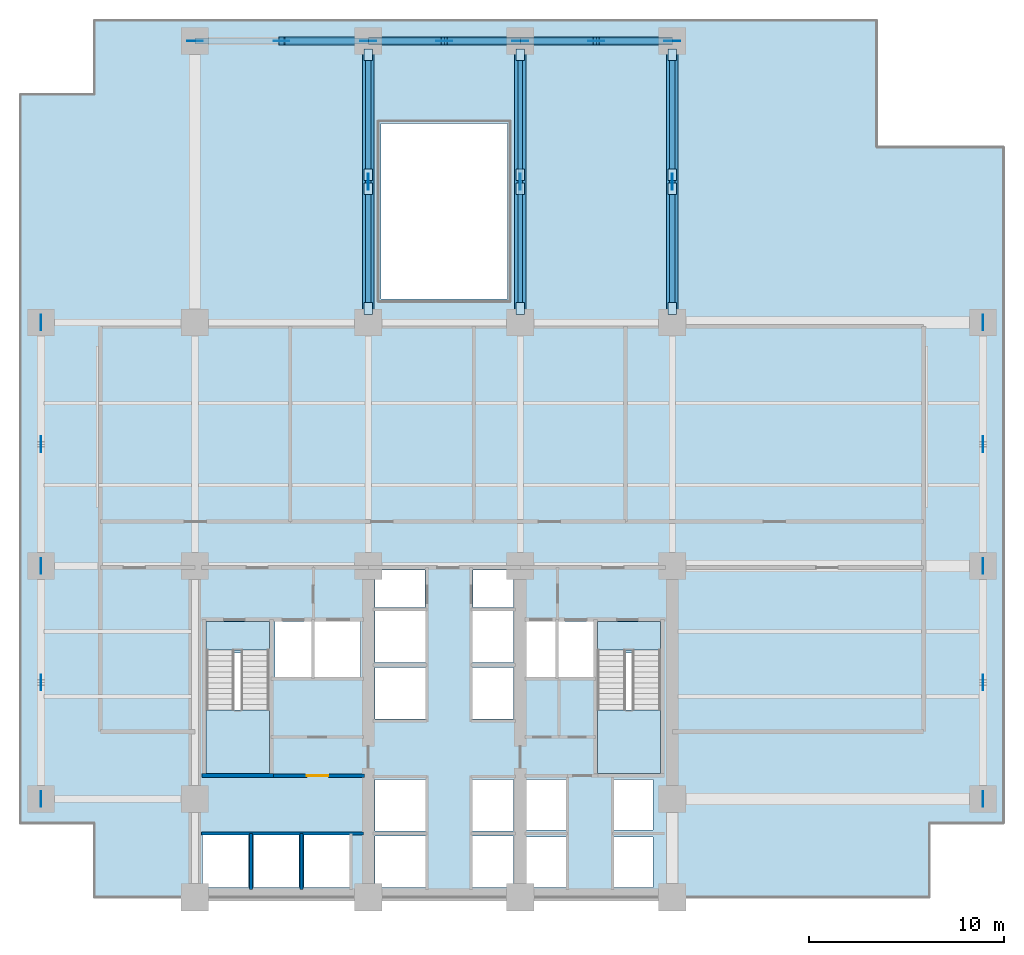
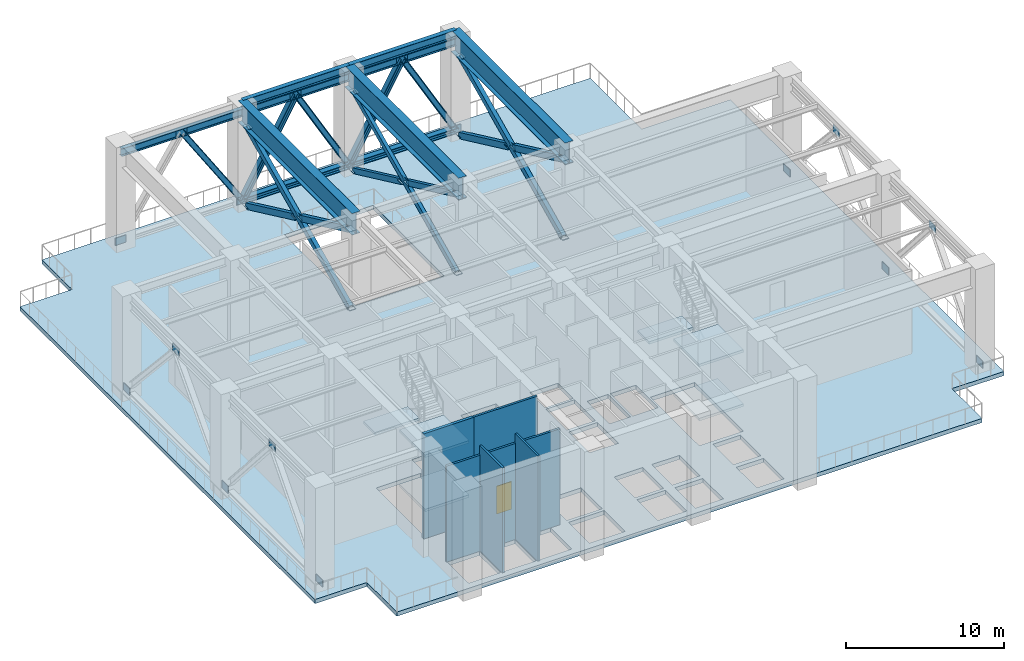
# One storey, part 2 of 7: 38 plates, 19 members, 7 slabs, 5 beams, 5 walls, 1 door, 1 opening, 2 elements without a shape of their own.
"""IFC4 building model written with IfcOpenShell, lengths in metres."""

from ifc_helpers import new_model, si_unit, direction, frame, frame_2d, origin, origin_2d, place, context, subcontext, project, spatial, polyline, rectangle, hollow_rectangle, i_section, outline, extrude, material, layer, layer_set, material_profile, profile_set, type_object, element, fill, aggregate, save


model = new_model("IFC4")

# Units and contexts
model_context = context("Model", 3, precision=1e-05, world=origin(), true_north=direction((0.0, 1.0)))
body_context = subcontext(model_context, "Body", "Model", "MODEL_VIEW")
ifc_project = project(units=[si_unit("LENGTHUNIT", "METRE"), si_unit("AREAUNIT", "SQUARE_METRE"), si_unit("VOLUMEUNIT", "CUBIC_METRE"), si_unit("PLANEANGLEUNIT", "RADIAN"), si_unit("MASSUNIT", "GRAM", prefix="KILO")], contexts=[model_context])

# Site, building, storey
site_placement = place(None, origin())
site = spatial("IfcSite", under=ifc_project, at=site_placement, CompositionType="ELEMENT")
building_placement = place(site_placement, origin())
building = spatial("IfcBuilding", under=site, at=building_placement, Name="Qalmaran Belvedere Hotel", CompositionType="ELEMENT")
storey_placement = place(building_placement, frame((0.0, 0.0, 75.39990234375)))
storey = spatial("IfcBuildingStorey", under=building, at=storey_placement, Name="L19", CompositionType="ELEMENT", Elevation=75.39990234375)

# Beams
ifc_material_1 = material(Name="Steel S355JR", Category="steel")
ifc_material_profile_1 = material_profile(ifc_material_1, i_section(OverallWidth=0.326904296875, OverallDepth=0.6220703125, WebThickness=0.015380859375, FlangeThickness=0.0244140625, FilletRadius=0.02001953125, at=origin_2d()), Name="W610X195")
ifc_profile_set_1 = profile_set([ifc_material_profile_1], Name="Steel S355JR")
beam_type_1 = type_object("IfcBeamType", Name="BM-SP1-W610X195", PredefinedType="SPANDREL", material=ifc_profile_set_1)
for number, where, z_axis, x_axis, name in (
    (1, (29.199951171875, 47.449951171875, 7.8291015625), (1.0, 0.0, 0.0), (0.0, 1.0, 0.0), "L19 Perimeter Spandrel 06"),
    (2, (37.0, 47.449951171875, 7.8291015625), (1.0, 0.0, 0.0), (0.0, 1.0, 0.0), "L19 Perimeter Spandrel 07"),
):
    element("IfcBeam", number, at=place(storey_placement, frame(where, z_axis=z_axis, x_axis=x_axis)), inside=storey, type_object=beam_type_1, Name=name, PredefinedType="SPANDREL", context=body_context, shape_type="SweptSolid", body=[
        extrude(i_section(OverallWidth=0.326904296875, OverallDepth=0.6220703125, WebThickness=0.015380859375, FlangeThickness=0.0244140625, FilletRadius=0.02001953125, at=origin_2d()), origin(), (0.0, 0.0, 1.0), 7.800048828125),
    ])
ifc_material_profile_2 = material_profile(ifc_material_1, i_section(OverallWidth=0.60009765625, OverallDepth=1.679931640625, WebThickness=0.02587890625, FlangeThickness=0.035888671875, at=origin_2d()), Name="PG1680X600X36")
ifc_profile_set_2 = profile_set([ifc_material_profile_2], Name="Steel S355JR")
beam_type_2 = type_object("IfcBeamType", Name="BM-TG5-PG1680X600", PredefinedType="USERDEFINED", material=ifc_profile_set_2)
for number, where, z_axis, x_axis, name in (
    (3, (29.199951171875, 33.0, 7.300048828125), (0.0, 1.0, 0.0), (-1.0, 0.0, 0.0), "L19 North Bay Setback Transfer Girder 17"),
    (4, (37.0, 33.0, 7.300048828125), (0.0, 1.0, 0.0), (-1.0, 0.0, 0.0), "L19 North Bay Setback Transfer Girder 19"),
    (5, (44.800048828125, 33.0, 7.300048828125), (0.0, 1.0, 0.0), (-1.0, 0.0, 0.0), "L19 North Bay Setback Transfer Girder 21"),
):
    element("IfcBeam", number, at=place(storey_placement, frame(where, z_axis=z_axis, x_axis=x_axis)), inside=storey, type_object=beam_type_2, Name=name, ObjectType="GIRDER", PredefinedType="USERDEFINED", context=body_context, shape_type="SweptSolid", body=[
        extrude(i_section(OverallWidth=0.60009765625, OverallDepth=1.679931640625, WebThickness=0.02587890625, FlangeThickness=0.035888671875, at=origin_2d()), origin(), (0.0, 0.0, 1.0), 14.449951171875),
    ])

# Members
ifc_material_profile_3 = material_profile(ifc_material_1, i_section(OverallWidth=0.39892578125, OverallDepth=0.39306640625, WebThickness=0.022705078125, FlangeThickness=0.03662109375, FilletRadius=0.014892578125, at=origin_2d()), Name="HD400X287")
ifc_profile_set_3 = profile_set([ifc_material_profile_3], Name="Steel S355JR")
member_type_1 = type_object("IfcMemberType", Name="MEM-BR1-HD400X287", PredefinedType="BRACE", material=ifc_profile_set_3)
member_1_placement = place(storey_placement, frame((29.199951171875, 47.449951171875, 0.35009765625), z_axis=(-0.545323772308, 0.0, 0.838225496722), x_axis=(0.0, -1.0, 0.0)))
element("IfcMember", 6, at=member_1_placement, inside=storey, type_object=member_type_1, Name="L19 Belt Truss Diagonal 05B", PredefinedType="BRACE", context=body_context, shape_type="SweptSolid", body=[
    extrude(i_section(OverallWidth=0.39892578125, OverallDepth=0.39306640625, WebThickness=0.022705078125, FlangeThickness=0.03662109375, FilletRadius=0.014892578125, at=origin_2d()), origin(), (0.0, 0.0, 1.0), 8.16015625),
])
for number, where, z_axis, x_axis, name in (
    (7, (29.199951171875, 47.449951171875, 0.35009765625), (0.49532730795, 0.0, 0.868706427971), (0.0, 1.0, 0.0), "L19 Belt Truss Diagonal 06A"),
    (8, (37.0, 47.449951171875, 0.35009765625), (-0.495303908402, 0.0, 0.868719769731), (0.0, -1.0, 0.0), "L19 Belt Truss Diagonal 06B"),
    (9, (37.0, 47.449951171875, 0.35009765625), (0.495303908402, 0.0, 0.868719769731), (0.0, 1.0, 0.0), "L19 Belt Truss Diagonal 07A"),
    (10, (44.800048828125, 47.449951171875, 0.35009765625), (-0.49532730795, 0.0, 0.868706427971), (0.0, -1.0, 0.0), "L19 Belt Truss Diagonal 07B"),
):
    element("IfcMember", number, at=place(storey_placement, frame(where, z_axis=z_axis, x_axis=x_axis)), inside=storey, type_object=member_type_1, Name=name, PredefinedType="BRACE", context=body_context, shape_type="SweptSolid", body=[
        extrude(i_section(OverallWidth=0.39892578125, OverallDepth=0.39306640625, WebThickness=0.022705078125, FlangeThickness=0.03662109375, FilletRadius=0.014892578125, at=origin_2d()), origin(), (0.0, 0.0, 1.0), 7.873779296875),
    ])
ifc_material_profile_4 = material_profile(ifc_material_1, hollow_rectangle(XDim=0.300048828125, YDim=0.449951171875, WallThickness=0.02001953125, at=origin_2d()), Name="RHS450X300X20")
ifc_profile_set_4 = profile_set([ifc_material_profile_4], Name="Steel S355JR")
member_type_2 = type_object("IfcMemberType", Name="MEM-BR4-RHS450", PredefinedType="BRACE", material=ifc_profile_set_4)
member_2_placement = place(storey_placement, frame((29.199951171875, 33.715087890625, 0.35009765625), z_axis=(0.0, 0.905807440431, 0.42368960438), x_axis=(-1.0, 0.0, 0.0)))
element("IfcMember", 11, at=member_2_placement, inside=storey, type_object=member_type_2, Name="L19 Wind-Slot Portal Outrigger Brace W1", PredefinedType="BRACE", context=body_context, shape_type="SweptSolid", body=[
    extrude(hollow_rectangle(XDim=0.300048828125, YDim=0.449951171875, WallThickness=0.02001953125, at=origin_2d()), origin(), (0.0, 0.0, 1.0), 14.3740234375),
])
for number, where, z_axis, x_axis, name in (
    (12, (29.199951171875, 46.735107421875, 0.35009765625), (0.0, -0.905802872951, 0.423699369075), (1.0, 0.0, 0.0), "L19 Wind-Slot Portal Outrigger Split Brace W2A"),
    (13, (29.199951171875, 39.87158203125, 3.560302734375), (0.0, -0.905796424433, 0.423713154722), (1.0, 0.0, 0.0), "L19 Wind-Slot Portal Outrigger Split Brace W2B"),
):
    element("IfcMember", number, at=place(storey_placement, frame(where, z_axis=z_axis, x_axis=x_axis)), inside=storey, type_object=member_type_2, Name=name, PredefinedType="BRACE", context=body_context, shape_type="SweptSolid", body=[
        extrude(hollow_rectangle(XDim=0.300048828125, YDim=0.449951171875, WallThickness=0.02001953125, at=origin_2d()), origin(), (0.0, 0.0, 1.0), 6.796875),
    ])
member_3_placement = place(storey_placement, frame((44.800048828125, 33.715087890625, 0.35009765625), z_axis=(0.0, 0.905807440431, 0.42368960438), x_axis=(-1.0, 0.0, 0.0)))
element("IfcMember", 14, at=member_3_placement, inside=storey, type_object=member_type_2, Name="L19 Wind-Slot Portal Outrigger Brace E1", PredefinedType="BRACE", context=body_context, shape_type="SweptSolid", body=[
    extrude(hollow_rectangle(XDim=0.300048828125, YDim=0.449951171875, WallThickness=0.02001953125, at=origin_2d()), origin(), (0.0, 0.0, 1.0), 14.3740234375),
])
for number, where, z_axis, x_axis, name in (
    (15, (44.800048828125, 46.735107421875, 0.35009765625), (0.0, -0.905802872951, 0.423699369075), (1.0, 0.0, 0.0), "L19 Wind-Slot Portal Outrigger Split Brace E2A"),
    (16, (44.800048828125, 39.87158203125, 3.560302734375), (0.0, -0.905796424433, 0.423713154722), (1.0, 0.0, 0.0), "L19 Wind-Slot Portal Outrigger Split Brace E2B"),
):
    element("IfcMember", number, at=place(storey_placement, frame(where, z_axis=z_axis, x_axis=x_axis)), inside=storey, type_object=member_type_2, Name=name, PredefinedType="BRACE", context=body_context, shape_type="SweptSolid", body=[
        extrude(hollow_rectangle(XDim=0.300048828125, YDim=0.449951171875, WallThickness=0.02001953125, at=origin_2d()), origin(), (0.0, 0.0, 1.0), 6.796875),
    ])
ifc_material_profile_5 = material_profile(ifc_material_1, hollow_rectangle(XDim=0.25, YDim=0.39990234375, WallThickness=0.01611328125, at=origin_2d()), Name="RHS400X250X16")
ifc_profile_set_5 = profile_set([ifc_material_profile_5], Name="Steel S355JR")
member_type_3 = type_object("IfcMemberType", Name="MEM-BR5-RHS400", PredefinedType="BRACE", material=ifc_profile_set_5)
member_4_placement = place(storey_placement, frame((37.0, 33.715087890625, 0.35009765625), z_axis=(0.0, 0.905807440431, 0.42368960438), x_axis=(-1.0, 0.0, 0.0)))
element("IfcMember", 17, at=member_4_placement, inside=storey, type_object=member_type_3, Name="L19 Wind-Slot Portal Outrigger Brace M1", PredefinedType="BRACE", context=body_context, shape_type="SweptSolid", body=[
    extrude(hollow_rectangle(XDim=0.25, YDim=0.39990234375, WallThickness=0.01611328125, at=origin_2d()), origin(), (0.0, 0.0, 1.0), 14.3740234375),
])
for number, where, z_axis, x_axis, name in (
    (18, (37.0, 46.735107421875, 0.35009765625), (0.0, -0.905802872951, 0.423699369075), (1.0, 0.0, 0.0), "L19 Wind-Slot Portal Outrigger Split Brace M2A"),
    (19, (37.0, 39.87158203125, 3.560302734375), (0.0, -0.905796424433, 0.423713154722), (1.0, 0.0, 0.0), "L19 Wind-Slot Portal Outrigger Split Brace M2B"),
):
    element("IfcMember", number, at=place(storey_placement, frame(where, z_axis=z_axis, x_axis=x_axis)), inside=storey, type_object=member_type_3, Name=name, PredefinedType="BRACE", context=body_context, shape_type="SweptSolid", body=[
        extrude(hollow_rectangle(XDim=0.25, YDim=0.39990234375, WallThickness=0.01611328125, at=origin_2d()), origin(), (0.0, 0.0, 1.0), 6.796875),
    ])
ifc_material_profile_6 = material_profile(ifc_material_1, i_section(OverallWidth=0.40087890625, OverallDepth=0.39892578125, WebThickness=0.02490234375, FlangeThickness=0.03955078125, FilletRadius=0.014892578125, at=origin_2d()), Name="HD400X314")
ifc_profile_set_6 = profile_set([ifc_material_profile_6], Name="Steel S355JR")
member_type_4 = type_object("IfcMemberType", Name="MEM-CH1-HD400X314", PredefinedType="CHORD", material=ifc_profile_set_6)
for number, where, z_axis, x_axis, name in (
    (20, (29.199951171875, 47.449951171875, 0.35009765625), (1.0, 0.0, 0.0), (0.0, 1.0, 0.0), "L19 Belt Truss Bottom Chord 06"),
    (21, (37.0, 47.449951171875, 0.35009765625), (1.0, 0.0, 0.0), (0.0, 1.0, 0.0), "L19 Belt Truss Bottom Chord 07"),
):
    element("IfcMember", number, at=place(storey_placement, frame(where, z_axis=z_axis, x_axis=x_axis)), inside=storey, type_object=member_type_4, Name=name, PredefinedType="CHORD", context=body_context, shape_type="SweptSolid", body=[
        extrude(i_section(OverallWidth=0.40087890625, OverallDepth=0.39892578125, WebThickness=0.02490234375, FlangeThickness=0.03955078125, FilletRadius=0.014892578125, at=origin_2d()), origin(), (0.0, 0.0, 1.0), 7.800048828125),
    ])
ifc_material_profile_7 = material_profile(ifc_material_1, i_section(OverallWidth=0.300048828125, OverallDepth=0.60009765625, WebThickness=0.015380859375, FlangeThickness=0.028076171875, FilletRadius=0.027099609375, at=origin_2d()), Name="HEB600")
ifc_profile_set_7 = profile_set([ifc_material_profile_7], Name="Steel S355JR")
member_type_5 = type_object("IfcMemberType", Name="MEM-CH2-HEB600", PredefinedType="CHORD", material=ifc_profile_set_7)
member_5_placement = place(storey_placement, frame((20.300048828125, 47.449951171875, 7.190185546875), z_axis=(1.0, 0.0, 0.0), x_axis=(0.0, 1.0, 0.0)))
element("IfcMember", 22, at=member_5_placement, inside=storey, type_object=member_type_5, Name="L19 Belt Truss Top Chord 05", PredefinedType="CHORD", context=body_context, shape_type="SweptSolid", body=[
    extrude(i_section(OverallWidth=0.300048828125, OverallDepth=0.60009765625, WebThickness=0.015380859375, FlangeThickness=0.028076171875, FilletRadius=0.027099609375, at=origin_2d()), origin(), (0.0, 0.0, 1.0), 8.89990234375),
])
for number, where, z_axis, x_axis, name in (
    (23, (29.199951171875, 47.449951171875, 7.190185546875), (1.0, 0.0, 0.0), (0.0, 1.0, 0.0), "L19 Belt Truss Top Chord 06"),
    (24, (37.0, 47.449951171875, 7.190185546875), (1.0, 0.0, 0.0), (0.0, 1.0, 0.0), "L19 Belt Truss Top Chord 07"),
):
    element("IfcMember", number, at=place(storey_placement, frame(where, z_axis=z_axis, x_axis=x_axis)), inside=storey, type_object=member_type_5, Name=name, PredefinedType="CHORD", context=body_context, shape_type="SweptSolid", body=[
        extrude(i_section(OverallWidth=0.300048828125, OverallDepth=0.60009765625, WebThickness=0.015380859375, FlangeThickness=0.028076171875, FilletRadius=0.027099609375, at=origin_2d()), origin(), (0.0, 0.0, 1.0), 7.800048828125),
    ])

# Plates
ifc_layer_1 = layer(ifc_material_1, 0.030029296875, Name="Steel S355JR")
ifc_layer_set_1 = layer_set([ifc_layer_1], Name="Steel S355JR")
plate_type_1 = type_object("IfcPlateType", Name="PLT-CAP1-600X450X30", PredefinedType="SHEET", material=ifc_layer_set_1)
for number, where, z_axis, x_axis, name in (
    (25, (29.199951171875, 33.715087890625, 0.3349609375), (0.0, 0.0, 1.0), (0.0, 1.0, 0.0), "L19 Hollow End Cap Plate 0013A"),
    (26, (29.199951171875, 46.735107421875, 6.42529296875), (0.0, 0.0, 1.0), (0.0, 1.0, 0.0), "L19 Hollow End Cap Plate 0014B"),
    (27, (29.199951171875, 46.735107421875, 0.3349609375), (0.0, 0.0, 1.0), (0.0, -1.0, 0.0), "L19 Hollow End Cap Plate 0015A"),
    (28, (29.199951171875, 40.578369140625, 3.21484375), (0.0, 0.0, 1.0), (0.0, -1.0, 0.0), "L19 Hollow End Cap Plate 0016B"),
    (29, (29.199951171875, 39.87158203125, 3.54541015625), (0.0, 0.0, 1.0), (0.0, -1.0, 0.0), "L19 Hollow End Cap Plate 0017A"),
    (30, (29.199951171875, 33.715087890625, 6.42529296875), (0.0, 0.0, 1.0), (0.0, -1.0, 0.0), "L19 Hollow End Cap Plate 0018B"),
    (31, (37.0, 33.715087890625, 0.3349609375), (0.0, 0.0, 1.0), (0.0, 1.0, 0.0), "L19 Hollow End Cap Plate 0019A"),
    (32, (37.0, 46.735107421875, 6.42529296875), (0.0, 0.0, 1.0), (0.0, 1.0, 0.0), "L19 Hollow End Cap Plate 0020B"),
    (33, (37.0, 46.735107421875, 0.3349609375), (0.0, 0.0, 1.0), (0.0, -1.0, 0.0), "L19 Hollow End Cap Plate 0021A"),
    (34, (37.0, 40.578369140625, 3.21484375), (0.0, 0.0, 1.0), (0.0, -1.0, 0.0), "L19 Hollow End Cap Plate 0022B"),
    (35, (37.0, 39.87158203125, 3.54541015625), (0.0, 0.0, 1.0), (0.0, -1.0, 0.0), "L19 Hollow End Cap Plate 0023A"),
    (36, (37.0, 33.715087890625, 6.42529296875), (0.0, 0.0, 1.0), (0.0, -1.0, 0.0), "L19 Hollow End Cap Plate 0024B"),
    (37, (44.800048828125, 33.715087890625, 0.3349609375), (0.0, 0.0, 1.0), (0.0, 1.0, 0.0), "L19 Hollow End Cap Plate 0025A"),
    (38, (44.800048828125, 46.735107421875, 6.42529296875), (0.0, 0.0, 1.0), (0.0, 1.0, 0.0), "L19 Hollow End Cap Plate 0026B"),
    (39, (44.800048828125, 46.735107421875, 0.3349609375), (0.0, 0.0, 1.0), (0.0, -1.0, 0.0), "L19 Hollow End Cap Plate 0027A"),
    (40, (44.800048828125, 40.578369140625, 3.21484375), (0.0, 0.0, 1.0), (0.0, -1.0, 0.0), "L19 Hollow End Cap Plate 0028B"),
    (41, (44.800048828125, 39.87158203125, 3.54541015625), (0.0, 0.0, 1.0), (0.0, -1.0, 0.0), "L19 Hollow End Cap Plate 0029A"),
    (42, (44.800048828125, 33.715087890625, 6.42529296875), (0.0, 0.0, 1.0), (0.0, -1.0, 0.0), "L19 Hollow End Cap Plate 0030B"),
):
    element("IfcPlate", number, at=place(storey_placement, frame(where, z_axis=z_axis, x_axis=x_axis)), inside=storey, type_object=plate_type_1, Name=name, PredefinedType="SHEET", context=body_context, shape_type="SweptSolid", body=[
        extrude(rectangle(XDim=0.60009765625, YDim=0.449951171875, at=origin_2d()), origin(), (0.0, 0.0, 1.0), 0.030029296875),
    ])
ifc_layer_2 = layer(ifc_material_1, 0.034912109375, Name="Steel S355JR")
ifc_layer_set_2 = layer_set([ifc_layer_2], Name="Steel S355JR")
plate_type_2 = type_object("IfcPlateType", Name="PLT-GUS1-800X550X35", PredefinedType="SHEET", material=ifc_layer_set_2)
for number, where, z_axis, x_axis, name in (
    (43, (12.39990234375, 14.52490234375, 6.9150390625), (0.0, 0.0, 1.0), (0.0, 1.0, 0.0), "L19 Belt Truss Apex Gusset Plate 01"),
    (44, (12.39990234375, 8.550048828125, 0.0751953125), (0.0, 0.0, 1.0), (0.0, 1.0, 0.0), "L19 Belt Truss Base Gusset Plate 01"),
    (45, (12.39990234375, 20.5, 0.0751953125), (0.0, 0.0, 1.0), (0.0, 1.0, 0.0), "L19 Belt Truss Base Gusset Plate 02"),
    (46, (12.39990234375, 26.75, 6.9150390625), (0.0, 0.0, 1.0), (0.0, 1.0, 0.0), "L19 Belt Truss Apex Gusset Plate 02"),
    (47, (12.39990234375, 33.0, 0.0751953125), (0.0, 0.0, 1.0), (0.0, 1.0, 0.0), "L19 Belt Truss Base Gusset Plate 03"),
    (48, (60.75, 14.52490234375, 6.9150390625), (0.0, 0.0, 1.0), (0.0, 1.0, 0.0), "L19 Belt Truss Apex Gusset Plate 03"),
    (49, (60.75, 8.550048828125, 0.0751953125), (0.0, 0.0, 1.0), (0.0, 1.0, 0.0), "L19 Belt Truss Base Gusset Plate 04"),
    (50, (60.75, 20.5, 0.0751953125), (0.0, 0.0, 1.0), (0.0, 1.0, 0.0), "L19 Belt Truss Base Gusset Plate 05"),
    (51, (60.75, 26.75, 6.9150390625), (0.0, 0.0, 1.0), (0.0, 1.0, 0.0), "L19 Belt Truss Apex Gusset Plate 04"),
    (52, (60.75, 33.0, 0.0751953125), (0.0, 0.0, 1.0), (0.0, 1.0, 0.0), "L19 Belt Truss Base Gusset Plate 06"),
    (53, (24.75, 47.449951171875, 6.9150390625), (0.0, 0.0, 1.0), (1.0, 0.0, 0.0), "L19 Belt Truss Apex Gusset Plate 05"),
    (54, (20.300048828125, 47.449951171875, 0.0751953125), (0.0, 0.0, 1.0), (1.0, 0.0, 0.0), "L19 Belt Truss Base Gusset Plate 07"),
    (55, (29.199951171875, 47.449951171875, 0.0751953125), (0.0, 0.0, 1.0), (1.0, 0.0, 0.0), "L19 Belt Truss Base Gusset Plate 08"),
    (56, (33.10009765625, 47.449951171875, 6.9150390625), (0.0, 0.0, 1.0), (1.0, 0.0, 0.0), "L19 Belt Truss Apex Gusset Plate 06"),
    (57, (37.0, 47.449951171875, 0.0751953125), (0.0, 0.0, 1.0), (1.0, 0.0, 0.0), "L19 Belt Truss Base Gusset Plate 09"),
    (58, (40.89990234375, 47.449951171875, 6.9150390625), (0.0, 0.0, 1.0), (1.0, 0.0, 0.0), "L19 Belt Truss Apex Gusset Plate 07"),
    (59, (44.800048828125, 47.449951171875, 0.0751953125), (0.0, 0.0, 1.0), (1.0, 0.0, 0.0), "L19 Belt Truss Base Gusset Plate 10"),
    (60, (29.199951171875, 40.22509765625, 3.1201171875), (0.0, 0.0, 1.0), (0.0, 1.0, 0.0), "L19 Outrigger X-Crossing Gusset Plate W"),
    (61, (37.0, 40.22509765625, 3.1201171875), (0.0, 0.0, 1.0), (0.0, 1.0, 0.0), "L19 Outrigger X-Crossing Gusset Plate M"),
    (62, (44.800048828125, 40.22509765625, 3.1201171875), (0.0, 0.0, 1.0), (0.0, 1.0, 0.0), "L19 Outrigger X-Crossing Gusset Plate E"),
):
    element("IfcPlate", number, at=place(storey_placement, frame(where, z_axis=z_axis, x_axis=x_axis)), inside=storey, type_object=plate_type_2, Name=name, PredefinedType="SHEET", context=body_context, shape_type="SweptSolid", body=[
        extrude(rectangle(XDim=0.800048828125, YDim=0.034912109375, at=origin_2d()), origin(), (0.0, 0.0, 1.0), 0.550048828125),
    ])

# Slab
ifc_material_2 = material(Name="Concrete C40/50", Category="concrete")
ifc_layer_3 = layer(ifc_material_2, 0.320068359375, Name="Concrete C40/50")
ifc_layer_set_3 = layer_set([ifc_layer_3], Name="Concrete C40/50")
slab_type_1 = type_object("IfcSlabType", Name="SLB-PRT-320", PredefinedType="FLOOR", material=ifc_layer_set_3)
slab_1_placement = place(storey_placement, frame((0.0, 0.0, -0.31982421875)))
element("IfcSlab", 63, at=slab_1_placement, inside=storey, type_object=slab_type_1, Name="L19 Structural Floor Slab", PredefinedType="FLOOR", context=body_context, shape_type="SweptSolid", body=[
    extrude(outline(polyline([(15.14990234375, 3.5), (58.0, 3.5), (58.0, 7.300048828125), (61.800048828125, 7.300048828125), (61.800048828125, 42.0), (55.300048828125, 42.0), (55.300048828125, 48.5), (15.14990234375, 48.5), (15.14990234375, 44.699951171875), (11.35009765625, 44.699951171875), (11.35009765625, 7.300048828125), (15.14990234375, 7.300048828125), (15.14990234375, 3.5)]), holes=[polyline([(20.8798828125, 9.85009765625), (24.1201171875, 9.85009765625), (24.1201171875, 16.0400390625), (20.8798828125, 16.0400390625), (20.8798828125, 9.85009765625)]), polyline([(40.9599609375, 9.85009765625), (44.199951171875, 9.85009765625), (44.199951171875, 16.0400390625), (40.9599609375, 16.0400390625), (40.9599609375, 9.85009765625)]), polyline([(29.544921875, 4.0), (32.14990234375, 4.0), (32.14990234375, 6.64990234375), (29.544921875, 6.64990234375), (29.544921875, 4.0)]), polyline([(29.544921875, 6.89990234375), (32.14990234375, 6.89990234375), (32.14990234375, 9.550048828125), (29.544921875, 9.550048828125), (29.544921875, 6.89990234375)]), polyline([(34.550048828125, 4.0), (36.655029296875, 4.0), (36.655029296875, 6.64990234375), (34.550048828125, 6.64990234375), (34.550048828125, 4.0)]), polyline([(34.550048828125, 6.89990234375), (36.655029296875, 6.89990234375), (36.655029296875, 9.550048828125), (34.550048828125, 9.550048828125), (34.550048828125, 6.89990234375)]), polyline([(29.544921875, 12.64990234375), (32.14990234375, 12.64990234375), (32.14990234375, 15.300048828125), (29.544921875, 15.300048828125), (29.544921875, 12.64990234375)]), polyline([(29.544921875, 15.550048828125), (32.14990234375, 15.550048828125), (32.14990234375, 18.199951171875), (29.544921875, 18.199951171875), (29.544921875, 15.550048828125)]), polyline([(34.550048828125, 12.64990234375), (36.655029296875, 12.64990234375), (36.655029296875, 15.300048828125), (34.550048828125, 15.300048828125), (34.550048828125, 12.64990234375)]), polyline([(34.550048828125, 15.550048828125), (36.655029296875, 15.550048828125), (36.655029296875, 18.199951171875), (34.550048828125, 18.199951171875), (34.550048828125, 15.550048828125)]), polyline([(37.300048828125, 4.0), (39.35009765625, 4.0), (39.35009765625, 6.60009765625), (37.300048828125, 6.60009765625), (37.300048828125, 4.0)]), polyline([(37.300048828125, 6.949951171875), (39.35009765625, 6.949951171875), (39.35009765625, 9.550048828125), (37.300048828125, 9.550048828125), (37.300048828125, 6.949951171875)]), polyline([(41.800048828125, 4.0), (43.800048828125, 4.0), (43.800048828125, 6.60009765625), (41.800048828125, 6.60009765625), (41.800048828125, 4.0)]), polyline([(41.800048828125, 6.949951171875), (43.800048828125, 6.949951171875), (43.800048828125, 9.550048828125), (41.800048828125, 9.550048828125), (41.800048828125, 6.949951171875)]), polyline([(20.699951171875, 4.0), (23.050048828125, 4.0), (23.050048828125, 6.699951171875), (20.699951171875, 6.699951171875), (20.699951171875, 4.0)]), polyline([(23.300048828125, 4.0), (25.64990234375, 4.0), (25.64990234375, 6.699951171875), (23.300048828125, 6.699951171875), (23.300048828125, 4.0)]), polyline([(25.89990234375, 4.0), (28.25, 4.0), (28.25, 6.699951171875), (25.89990234375, 6.699951171875), (25.89990234375, 4.0)]), polyline([(24.39990234375, 14.800048828125), (26.300048828125, 14.800048828125), (26.300048828125, 17.64990234375), (24.39990234375, 17.64990234375), (24.39990234375, 14.800048828125)]), polyline([(38.949951171875, 14.800048828125), (40.820068359375, 14.800048828125), (40.820068359375, 17.64990234375), (38.949951171875, 17.64990234375), (38.949951171875, 14.800048828125)]), polyline([(26.449951171875, 14.800048828125), (28.800048828125, 14.800048828125), (28.800048828125, 17.64990234375), (26.449951171875, 17.64990234375), (26.449951171875, 14.800048828125)]), polyline([(37.25, 14.800048828125), (38.800048828125, 14.800048828125), (38.800048828125, 17.64990234375), (37.25, 17.64990234375), (37.25, 14.800048828125)]), polyline([(29.544921875, 18.3798828125), (32.1201171875, 18.3798828125), (32.1201171875, 20.300048828125), (29.544921875, 20.300048828125), (29.544921875, 18.3798828125)]), polyline([(34.580078125, 18.3798828125), (36.655029296875, 18.3798828125), (36.655029296875, 20.300048828125), (34.580078125, 20.300048828125), (34.580078125, 18.3798828125)]), polyline([(29.85009765625, 34.199951171875), (36.35009765625, 34.199951171875), (36.35009765625, 43.199951171875), (29.85009765625, 43.199951171875), (29.85009765625, 34.199951171875)])]), origin(), (0.0, 0.0, 1.0), 0.31982421875),
])

# Stair, slabs
stair_type_1 = type_object("IfcStairType", Name="STR-ST-1-1450-R1750", PredefinedType="HALF_TURN_STAIR", material=ifc_material_2)
stair_1_placement = place(storey_placement, origin())
stair_1 = element("IfcStair", 64, at=stair_1_placement, inside=storey, type_object=stair_type_1, Name="L19 West Core Exit Stair ST-1", PredefinedType="HALF_TURN_STAIR")
ifc_layer_4 = layer(ifc_material_2, 0.199951171875, Name="Concrete C40/50")
ifc_layer_set_4 = layer_set([ifc_layer_4], Name="Concrete C40/50")
slab_type_2 = type_object("IfcSlabType", Name="SLB-STAIR-LANDING-200", PredefinedType="LANDING", material=ifc_layer_set_4)
slab_2_placement = place(storey_placement, frame((0.0, 0.0, 1.900146484375)))
slab_2 = element("IfcSlab", 65, at=slab_2_placement, type_object=slab_type_2, Name="ST-1 landing 1", PredefinedType="LANDING", context=body_context, shape_type="SweptSolid", body=[
    extrude(outline(polyline([(20.8798828125, 13.110107421875), (20.8798828125, 9.85009765625), (24.1201171875, 9.85009765625), (24.1201171875, 13.110107421875), (20.8798828125, 13.110107421875)])), origin(), (0.0, 0.0, 1.0), 0.199951171875),
])
slab_3_placement = place(storey_placement, frame((0.0, 0.0, 4.0)))
slab_3 = element("IfcSlab", 66, at=slab_3_placement, type_object=slab_type_2, Name="ST-1 landing 2", PredefinedType="LANDING", context=body_context, shape_type="SweptSolid", body=[
    extrude(outline(polyline([(20.8798828125, 17.64990234375), (20.8798828125, 16.18994140625), (24.1201171875, 16.18994140625), (24.1201171875, 17.64990234375), (20.8798828125, 17.64990234375)])), origin(), (0.0, 0.0, 1.0), 0.2001953125),
])
slab_4_placement = place(storey_placement, frame((0.0, 0.0, 6.10009765625)))
slab_4 = element("IfcSlab", 67, at=slab_4_placement, type_object=slab_type_2, Name="ST-1 landing 3", PredefinedType="LANDING", context=body_context, shape_type="SweptSolid", body=[
    extrude(outline(polyline([(20.8798828125, 13.110107421875), (20.8798828125, 9.85009765625), (24.1201171875, 9.85009765625), (24.1201171875, 13.110107421875), (20.8798828125, 13.110107421875)])), origin(), (0.0, 0.0, 1.0), 0.199951171875),
])
aggregate(stair_1, [slab_2, slab_3, slab_4])

stair_type_2 = type_object("IfcStairType", Name="STR-ST-2-1450-R1750", PredefinedType="HALF_TURN_STAIR", material=ifc_material_2)
stair_2_placement = place(storey_placement, origin())
stair_2 = element("IfcStair", 68, at=stair_2_placement, inside=storey, type_object=stair_type_2, Name="L19 East Core Exit Stair ST-2", PredefinedType="HALF_TURN_STAIR")
slab_5_placement = place(storey_placement, frame((0.0, 0.0, 1.900146484375)))
slab_5 = element("IfcSlab", 69, at=slab_5_placement, type_object=slab_type_2, Name="ST-2 landing 1", PredefinedType="LANDING", context=body_context, shape_type="SweptSolid", body=[
    extrude(outline(polyline([(40.9599609375, 13.110107421875), (40.9599609375, 9.85009765625), (44.199951171875, 9.85009765625), (44.199951171875, 13.110107421875), (40.9599609375, 13.110107421875)])), origin(), (0.0, 0.0, 1.0), 0.199951171875),
])
slab_6_placement = place(storey_placement, frame((0.0, 0.0, 4.0)))
slab_6 = element("IfcSlab", 70, at=slab_6_placement, type_object=slab_type_2, Name="ST-2 landing 2", PredefinedType="LANDING", context=body_context, shape_type="SweptSolid", body=[
    extrude(outline(polyline([(40.9599609375, 17.64990234375), (40.9599609375, 16.18994140625), (44.199951171875, 16.18994140625), (44.199951171875, 17.64990234375), (40.9599609375, 17.64990234375)])), origin(), (0.0, 0.0, 1.0), 0.2001953125),
])
slab_7_placement = place(storey_placement, frame((0.0, 0.0, 6.10009765625)))
slab_7 = element("IfcSlab", 71, at=slab_7_placement, type_object=slab_type_2, Name="ST-2 landing 3", PredefinedType="LANDING", context=body_context, shape_type="SweptSolid", body=[
    extrude(outline(polyline([(40.9599609375, 13.110107421875), (40.9599609375, 9.85009765625), (44.199951171875, 9.85009765625), (44.199951171875, 13.110107421875), (40.9599609375, 13.110107421875)])), origin(), (0.0, 0.0, 1.0), 0.199951171875),
])
aggregate(stair_2, [slab_5, slab_6, slab_7])

# Walls
ifc_material_3 = material(Name="Gypsum Stud Partition")
ifc_layer_5 = layer(ifc_material_3, 0.14990234375, Name="Gypsum Stud Partition")
ifc_layer_set_5 = layer_set([ifc_layer_5], Name="Gypsum Stud Partition")
wall_type_1 = type_object("IfcWallType", Name="WL-INT-150-EI120", PredefinedType="PARTITIONING", material=ifc_layer_set_5)
for number, where, z_axis, x_axis, name in (
    (72, (23.179931640625, 3.89990234375, 0.0), (0.0, 0.0, 1.0), (0.0, 1.0, 0.0), "L19 Partition WL-POM1-L19"),
    (73, (25.780029296875, 3.89990234375, 0.0), (0.0, 0.0, 1.0), (0.0, 1.0, 0.0), "L19 Partition WL-POM2-L19"),
):
    element("IfcWall", number, at=place(storey_placement, frame(where, z_axis=z_axis, x_axis=x_axis)), inside=storey, type_object=wall_type_1, Name=name, PredefinedType="PARTITIONING", context=body_context, shape_type="SweptSolid", body=[
        extrude(rectangle(XDim=2.880126953125, YDim=0.14990234375, at=frame_2d((1.43994140625, 0.0))), origin(), (0.0, 0.0, 1.0), 8.14013671875),
    ])
ifc_layer_6 = layer(ifc_material_3, 0.159912109375, Name="Gypsum Stud Partition")
ifc_layer_set_6 = layer_set([ifc_layer_6], Name="Gypsum Stud Partition")
wall_type_2 = type_object("IfcWallType", Name="WL-INT-160-EI120", PredefinedType="PARTITIONING", material=ifc_layer_set_6)
wall_1_placement = place(storey_placement, frame((20.64990234375, 6.780029296875, 0.0), z_axis=(0.0, 0.0, 1.0), x_axis=(1.0, 0.0, 0.0)))
element("IfcWall", 74, at=wall_1_placement, inside=storey, type_object=wall_type_2, Name="L19 Partition WL-POS-L19", PredefinedType="PARTITIONING", context=body_context, shape_type="SweptSolid", body=[
    extrude(rectangle(XDim=8.300048828125, YDim=0.159912109375, at=frame_2d((4.14990234375, 0.0))), origin(), (0.0, 0.0, 1.0), 7.43017578125),
])

# Wall, opening, door
wall_2_placement = place(storey_placement, frame((24.199951171875, 9.739990234375, 0.0), z_axis=(0.0, 0.0, 1.0), x_axis=(1.0, 0.0, 0.0)))
wall_2 = element("IfcWall", 75, at=wall_2_placement, inside=storey, type_object=wall_type_2, Name="L19 Partition WL-PON-L19", PredefinedType="PARTITIONING", context=body_context, shape_type="SweptSolid", body=[
    extrude(rectangle(XDim=4.800048828125, YDim=0.159912109375, at=frame_2d((2.39990234375, 0.0))), origin(), (0.0, 0.0, 1.0), 8.14013671875),
])
opening_placement = place(wall_2_placement, frame((1.85009765625, 0.0, 0.0)))
opening = element("IfcOpeningElement", 76, at=opening_placement, cuts=wall_2, Name="Opening FD90", PredefinedType="OPENING", context=body_context, shape_type="SweptSolid", body=[
    extrude(rectangle(XDim=1.10009765625, YDim=2.14990234375, at=frame_2d((0.550048828125, 1.074951171875))), frame((0.0, 0.08984375, 0.0), z_axis=(0.0, -1.0, 0.0), x_axis=(1.0, 0.0, 0.0)), (0.0, 0.0, 1.0), 0.179931640625),
])
door_type = type_object("IfcDoorType", Name="DR-FD90-1100X2150", OperationType="NOTDEFINED", PredefinedType="DOOR", material=ifc_material_1)
door_placement = place(opening_placement, origin())
door = element("IfcDoor", 77, at=door_placement, inside=storey, type_object=door_type, Name="L19 Shuttle Lobby Passage Door", OperationType="SINGLE_SWING_RIGHT", OverallHeight=2.14990234375, OverallWidth=1.10009765625, PredefinedType="DOOR", context=body_context, shape_type="SweptSolid", body=[
    extrude(rectangle(XDim=1.10009765625, YDim=2.14990234375, at=frame_2d((0.550048828125, 1.074951171875))), frame((0.0, 0.02490234375, 0.0), z_axis=(0.0, -1.0, 0.0), x_axis=(1.0, 0.0, 0.0)), (0.0, 0.0, 1.0), 0.050048828125),
])
fill(opening, door)

# Wall
ifc_material_4 = material(Name="Concrete C50/60", Category="concrete")
ifc_layer_7 = layer(ifc_material_4, 0.2099609375, Name="Concrete C50/60")
ifc_layer_set_7 = layer_set([ifc_layer_7], Name="Concrete C50/60")
wall_type_3 = type_object("IfcWallType", Name="WL-STAIR-210-C50", PredefinedType="SHEAR", material=ifc_layer_set_7)
wall_3_placement = place(storey_placement, frame((20.669921875, 9.7451171875, 0.0), z_axis=(0.0, 0.0, 1.0), x_axis=(1.0, 0.0, 0.0)))
element("IfcWall", 78, at=wall_3_placement, inside=storey, type_object=wall_type_3, Name="L19 Stair ST-1 South Bearing Wall", PredefinedType="SHEAR", context=body_context, shape_type="SweptSolid", body=[
    extrude(rectangle(XDim=3.66015625, YDim=0.2099609375, at=frame_2d((1.830078125, 0.0))), origin(), (0.0, 0.0, 1.0), 8.14013671875),
])

save(model, "model.ifc")
